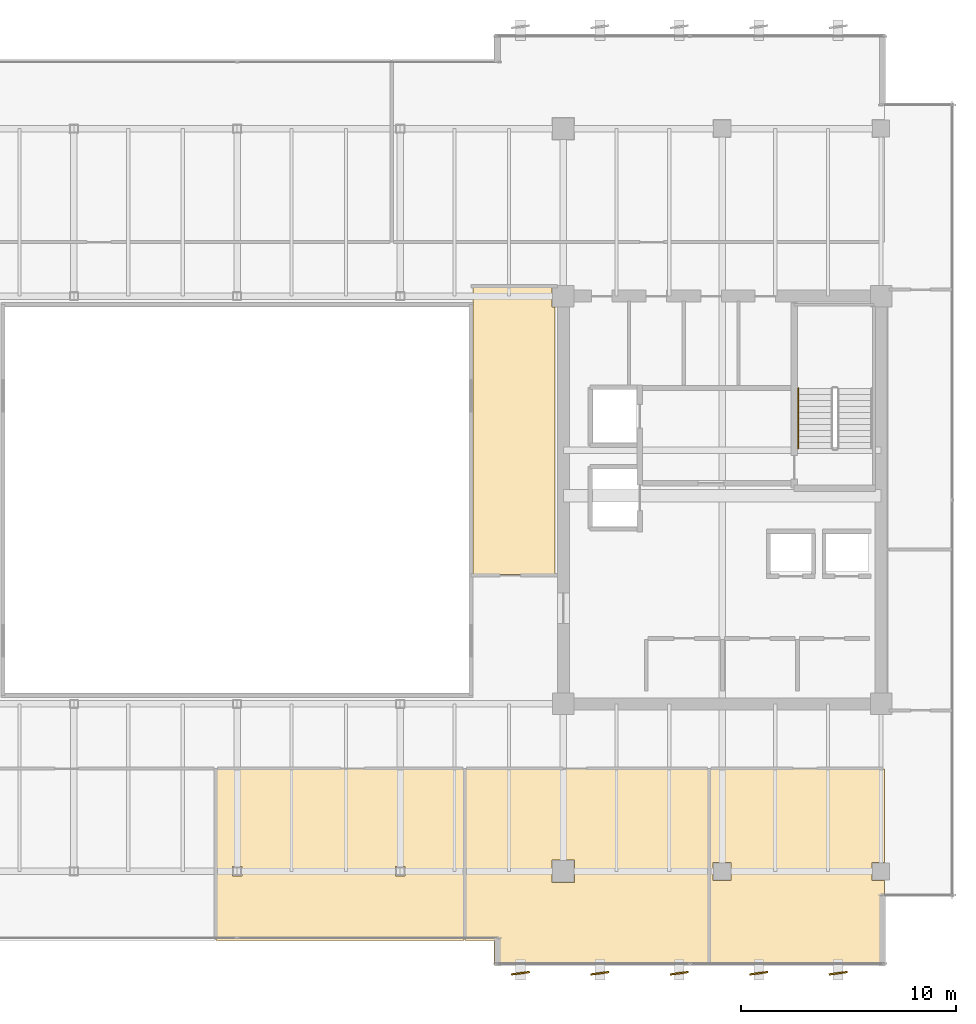
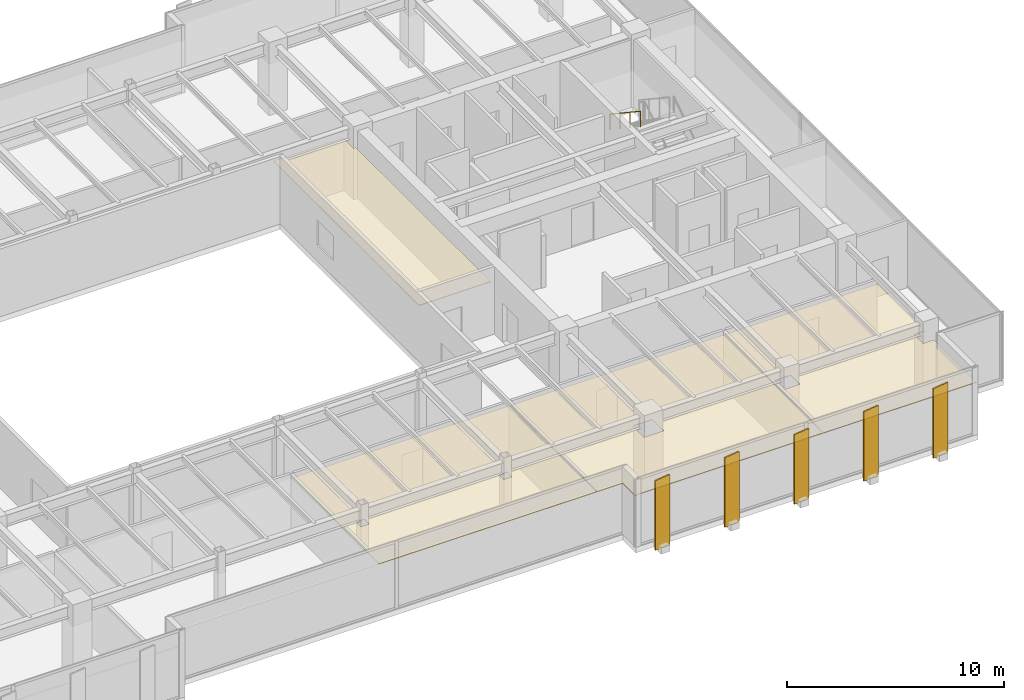
# One storey, part 34 of 36: 5 shading devices, 4 coverings, 1 railing.
"""IFC4 building model written with IfcOpenShell, lengths in metres."""

from ifc_helpers import new_model, si_unit, direction, frame, origin, origin_2d, place, context, subcontext, project, spatial, polyline, rectangle, circle, outline, extrude, source, transform, mapped, material, layer, layer_set, material_profile, profile_set, type_object, type_shapes, element, save


model = new_model("IFC4")

# Units and contexts
model_context = context("Model", 3, precision=1e-05, world=origin(), true_north=direction((0.0, 1.0)))
body_context = subcontext(model_context, "Body", "Model", "MODEL_VIEW")
ifc_project = project(units=[si_unit("LENGTHUNIT", "METRE"), si_unit("AREAUNIT", "SQUARE_METRE"), si_unit("VOLUMEUNIT", "CUBIC_METRE"), si_unit("PLANEANGLEUNIT", "RADIAN"), si_unit("MASSUNIT", "GRAM", prefix="KILO")], contexts=[model_context])

# Site, building, storey
site_placement = place(None, origin())
site = spatial("IfcSite", under=ifc_project, at=site_placement, CompositionType="ELEMENT")
building_placement = place(site_placement, origin())
building = spatial("IfcBuilding", under=site, at=building_placement, Name="Haelvirn Gate Laboratories", CompositionType="ELEMENT")
storey_placement = place(building_placement, frame((0.0, 0.0, 242.39990234375)))
storey = spatial("IfcBuildingStorey", under=building, at=storey_placement, Name="L58", CompositionType="ELEMENT", Elevation=242.39990234375)

# Coverings
ifc_material_1 = material(Name="Micro-perforated acoustic mineral-fibre laboratory ceiling")
ifc_layer = layer(ifc_material_1, 0.0400390625, Name="COV-CEIL-ACT")
ifc_layer_set = layer_set([ifc_layer], Name="Micro-perforated acoustic mineral-fibre laboratory ceiling")
covering_type = type_object("IfcCoveringType", Name="COV-CEIL-ACT", PredefinedType="CEILING", material=ifc_layer_set)
covering_1_placement = place(storey_placement, frame((0.0, 0.0, 2.880126953125)))
element("IfcCovering", 1, at=covering_1_placement, inside=storey, type_object=covering_type, Name="L58 Laboratory Acoustic Ceiling CEIL-SP-L58-EATRIUM-POD", PredefinedType="CEILING", context=body_context, shape_type="SweptSolid", body=[
    extrude(outline(polyline([(52.2099609375, 20.840087890625), (48.389892578125, 20.840087890625), (48.389892578125, 34.239990234375), (52.080078125, 34.239990234375), (52.080078125, 33.280029296875), (52.2099609375, 33.280029296875), (52.2099609375, 20.840087890625)])), origin(), (0.0, 0.0, 1.0), 0.0400390625),
])
covering_2_placement = place(storey_placement, frame((0.0, 0.0, 2.880126953125)))
element("IfcCovering", 2, at=covering_2_placement, inside=storey, type_object=covering_type, Name="L58 Laboratory Acoustic Ceiling CEIL-SP-L58-S-04", PredefinedType="CEILING", context=body_context, shape_type="SweptSolid", body=[
    extrude(outline(polyline([(47.97998046875, 11.780029296875), (47.97998046875, 3.780029296875), (36.419921875, 3.780029296875), (36.419921875, 11.780029296875), (47.97998046875, 11.780029296875)]), holes=[polyline([(37.179931640625, 7.219970703125), (37.179931640625, 6.780029296875), (37.6201171875, 6.780029296875), (37.6201171875, 7.219970703125), (37.179931640625, 7.219970703125)]), polyline([(45.219970703125, 7.219970703125), (44.780029296875, 7.219970703125), (44.780029296875, 6.780029296875), (45.219970703125, 6.780029296875), (45.219970703125, 7.219970703125)])]), origin(), (0.0, 0.0, 1.0), 0.0400390625),
])
covering_3_placement = place(storey_placement, frame((0.0, 0.0, 2.880126953125)))
element("IfcCovering", 3, at=covering_3_placement, inside=storey, type_object=covering_type, Name="L58 Laboratory Acoustic Ceiling CEIL-SP-L58-S-05", PredefinedType="CEILING", context=body_context, shape_type="SweptSolid", body=[
    extrude(outline(polyline([(48.02001953125, 3.780029296875), (48.02001953125, 11.780029296875), (59.3798828125, 11.780029296875), (59.3798828125, 2.64990234375), (49.3798828125, 2.64990234375), (49.3798828125, 3.780029296875), (48.02001953125, 3.780029296875)]), holes=[polyline([(53.1201171875, 7.52001953125), (52.080078125, 7.52001953125), (52.080078125, 6.47998046875), (53.1201171875, 6.47998046875), (53.1201171875, 7.52001953125)])]), origin(), (0.0, 0.0, 1.0), 0.0400390625),
])
covering_4_placement = place(storey_placement, frame((0.0, 0.0, 2.880126953125)))
element("IfcCovering", 4, at=covering_4_placement, inside=storey, type_object=covering_type, Name="L58 Laboratory Acoustic Ceiling CEIL-SP-L58-S-06", PredefinedType="CEILING", context=body_context, shape_type="SweptSolid", body=[
    extrude(outline(polyline([(67.550048828125, 2.64990234375), (59.419921875, 2.64990234375), (59.419921875, 11.780029296875), (67.550048828125, 11.780029296875), (67.550048828125, 7.419921875), (66.97998046875, 7.419921875), (66.97998046875, 6.580078125), (67.550048828125, 6.580078125), (67.550048828125, 2.64990234375)]), holes=[polyline([(59.580078125, 7.419921875), (59.580078125, 6.580078125), (60.419921875, 6.580078125), (60.419921875, 7.419921875), (59.580078125, 7.419921875)])]), origin(), (0.0, 0.0, 1.0), 0.0400390625),
])

# Shading devices
ifc_material_2 = material(Name="Extruded aluminium 6063-T6 (anodised bronze)", Category="aluminium")
ifc_material_profile = material_profile(ifc_material_2, rectangle(XDim=0.074951171875, YDim=0.85009765625, at=origin_2d()), Name="FIN-850x75")
ifc_profile_set = profile_set([ifc_material_profile], Name="Extruded aluminium 6063-T6 (anodised bronze)")
shading_device_type = type_object("IfcShadingDeviceType", Name="SHD-FIN-850", PredefinedType="USERDEFINED", material=ifc_profile_set)
shared_shape_1 = source(origin(), body_context, "Body", "SweptSolid", [
    extrude(rectangle(XDim=0.074951171875, YDim=0.85009765625, at=origin_2d()), origin(), (0.0, 0.0, 1.0), 3.919921875),
])
type_shapes(shading_device_type, [shared_shape_1])
for number, where, z_axis, x_axis, name in (
    (5, (50.60009765625, 2.2548828125, -0.179931640625), (0.0, 0.0, 1.0), (-0.132256390257, 0.991215540252, 0.0), "L58 Fluted Bronze Vertical Fin S06"),
    (6, (54.300048828125, 2.2548828125, -0.179931640625), (0.0, 0.0, 1.0), (-0.132256390257, 0.991215540252, 0.0), "L58 Fluted Bronze Vertical Fin S07"),
    (7, (58.0, 2.2548828125, -0.179931640625), (0.0, 0.0, 1.0), (-0.132256390257, 0.991215540252, 0.0), "L58 Fluted Bronze Vertical Fin S08"),
    (8, (61.699951171875, 2.2548828125, -0.179931640625), (0.0, 0.0, 1.0), (-0.132256390257, 0.991215540252, 0.0), "L58 Fluted Bronze Vertical Fin S09"),
    (9, (65.39990234375, 2.2548828125, -0.179931640625), (0.0, 0.0, 1.0), (-0.132256390257, 0.991215540252, 0.0), "L58 Fluted Bronze Vertical Fin S10"),
):
    element("IfcShadingDevice", number, at=place(storey_placement, frame(where, z_axis=z_axis, x_axis=x_axis)), inside=storey, type_object=shading_device_type, Name=name, ObjectType="FIN", PredefinedType="USERDEFINED", context=body_context, shape_type="MappedRepresentation", body=[
        mapped(shared_shape_1, transform((0.0, 0.0, 0.0), scale=1.0)),
    ])

# Railing
ifc_material_3 = material(Name="Brushed stainless steel 316L", Category="steel")
railing_type = type_object("IfcRailingType", Name="RL-HAND-920", PredefinedType="HANDRAIL", material=ifc_material_3)
shared_shape_2 = source(origin(), body_context, "Body", "SweptSolid", [
    extrude(circle(Radius=0.02392578125, at=origin_2d()), frame((0.0, 0.0, 0.8759765625), z_axis=(0.0, -0.832485552168, 0.554046753832), x_axis=(1.0, 0.0, 0.0)), (0.0, 0.0, 1.0), 3.363525390625),
    extrude(circle(Radius=0.02099609375, at=origin_2d()), origin(), (0.0, 0.0, 1.0), 0.851806640625),
    extrude(circle(Radius=0.02099609375, at=origin_2d()), frame((0.0, -0.933349609375, 0.62109375)), (0.0, 0.0, 1.0), 0.851806640625),
    extrude(circle(Radius=0.02099609375, at=origin_2d()), frame((0.0, -1.86669921875, 1.242431640625)), (0.0, 0.0, 1.0), 0.851806640625),
    extrude(circle(Radius=0.02099609375, at=origin_2d()), frame((0.0, -2.800048828125, 1.863525390625)), (0.0, 0.0, 1.0), 0.851806640625),
])
type_shapes(railing_type, [shared_shape_2])
railing_placement = place(storey_placement, frame((63.550048828125, 29.5, 2.236572265625)))
element("IfcRailing", 10, at=railing_placement, inside=storey, type_object=railing_type, Name="L58 ST2 stair handrail 2", PredefinedType="HANDRAIL", context=body_context, shape_type="MappedRepresentation", body=[
    mapped(shared_shape_2, transform((0.0, 0.0, 0.0), scale=1.0)),
])

save(model, "model.ifc")
